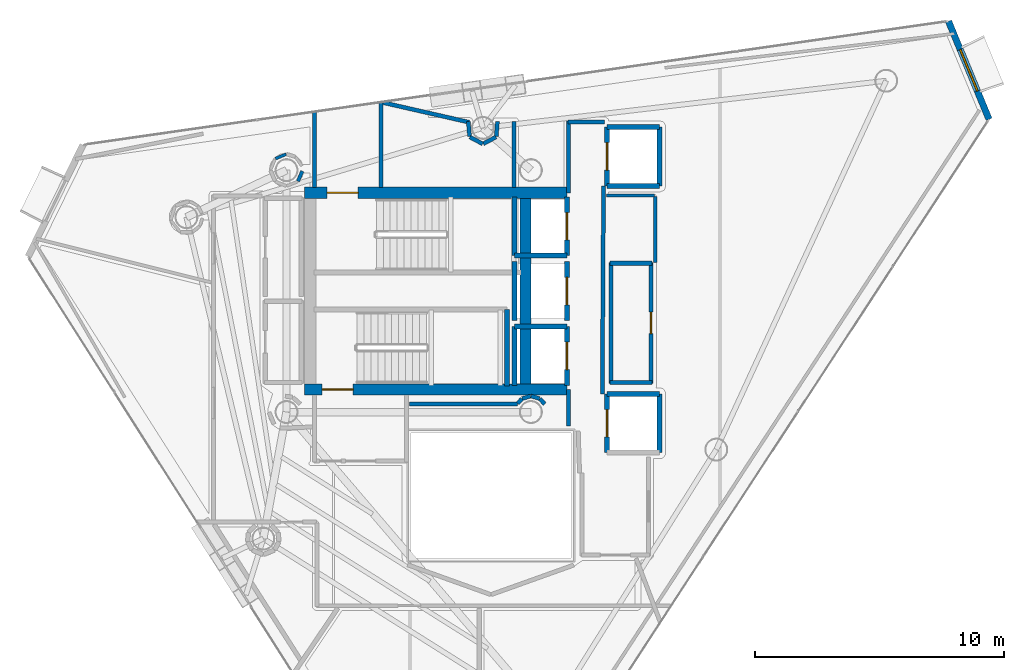
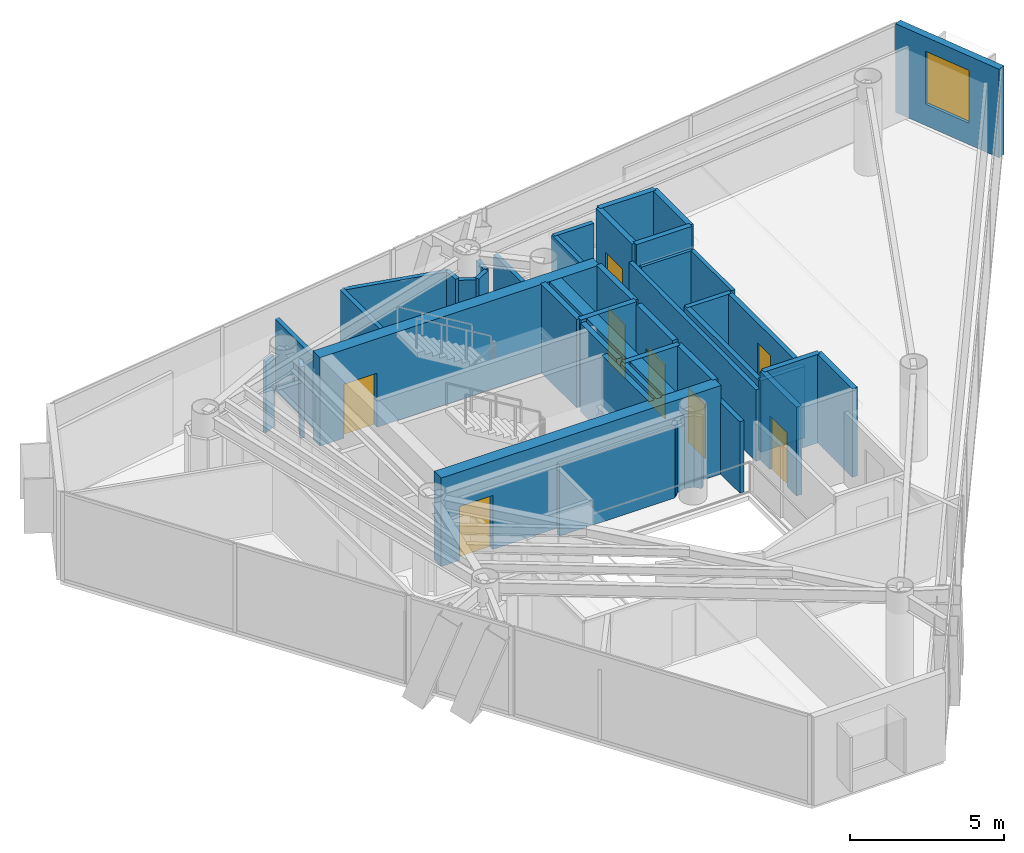
# One storey, part 21 of 25: 45 walls, 8 doors, 1 window, 9 openings.
"""IFC4 building model written with IfcOpenShell, lengths in metres."""

from ifc_helpers import new_model, si_unit, direction, frame, frame_2d, origin, place, context, subcontext, project, spatial, rectangle, extrude, material, layer, layer_set, type_object, element, fill, save


model = new_model("IFC4")

# Units and contexts
model_context = context("Model", 3, precision=1e-05, world=origin(), true_north=direction((0.0, 1.0)))
body_context = subcontext(model_context, "Body", "Model", "MODEL_VIEW")
ifc_project = project(units=[si_unit("LENGTHUNIT", "METRE"), si_unit("AREAUNIT", "SQUARE_METRE"), si_unit("VOLUMEUNIT", "CUBIC_METRE"), si_unit("PLANEANGLEUNIT", "RADIAN"), si_unit("MASSUNIT", "GRAM", prefix="KILO")], contexts=[model_context])

# Site, building, storey
site_placement = place(None, origin())
site = spatial("IfcSite", under=ifc_project, at=site_placement, CompositionType="ELEMENT")
building_placement = place(site_placement, origin())
building = spatial("IfcBuilding", under=site, at=building_placement, Name="Qianvela Tower", CompositionType="ELEMENT")
storey_placement = place(building_placement, frame((0.0, 0.0, 291.699951171875)))
storey = spatial("IfcBuildingStorey", under=building, at=storey_placement, Name="L75", CompositionType="ELEMENT", Elevation=291.699951171875)

# Wall, opening, window
ifc_material_1 = material(Name="Terracotta Cladding on Concrete C40", Category="masonry")
ifc_layer_1 = layer(ifc_material_1, 0.260009765625)
ifc_layer_set_1 = layer_set([ifc_layer_1], Name="Terracotta Cladding on Concrete C40")
wall_type_1 = type_object("IfcWallType", Name="TERRACOTTA-WALL-260", PredefinedType="SOLIDWALL", material=ifc_layer_set_1)
wall_1_placement = place(storey_placement, frame((56.7744140625, 35.58642578125, 0.0), z_axis=(0.0, 0.0, 1.0), x_axis=(-0.382036002316, 0.924147441123, 0.0)))
wall_1 = element("IfcWall", 1, at=wall_1_placement, inside=storey, type_object=wall_type_1, Name="L75 Terracotta Chamfer Facet Wall 1", PredefinedType="SOLIDWALL", context=body_context, shape_type="SweptSolid", body=[
    extrude(rectangle(XDim=4.2568359375, YDim=0.260009765625, at=frame_2d((2.12841796875, 0.0))), origin(), (0.0, 0.0, 1.0), 3.52001953125),
])
opening_1_placement = place(wall_1_placement, frame((1.228271484375, 0.0, 0.85009765625)))
opening_1 = element("IfcOpeningElement", 2, at=opening_1_placement, cuts=wall_1, Name="Opening W-01", PredefinedType="OPENING", context=body_context, shape_type="SweptSolid", body=[
    extrude(rectangle(XDim=1.800048828125, YDim=2.10009765625, at=frame_2d((0.89990234375, 1.050048828125))), frame((0.0, 0.139892578125, 0.0), z_axis=(0.0, -1.0, 0.0), x_axis=(1.0, 0.0, 0.0)), (0.0, 0.0, 1.0), 0.280029296875),
])
ifc_material_2 = material(Name="Thermally Broken Aluminium and Low-E Glass", Category="aluminium")
window_type = type_object("IfcWindowType", Name="WIN-TC-1800x2100", PartitioningType="DOUBLE_PANEL_VERTICAL", PredefinedType="WINDOW", material=ifc_material_2)
window_placement = place(opening_1_placement, origin())
window = element("IfcWindow", 3, at=window_placement, inside=storey, type_object=window_type, Name="L75 Chamfer Facet Window 1.1", OverallHeight=2.10009765625, OverallWidth=1.800048828125, PartitioningType="SINGLE_PANEL", PredefinedType="WINDOW", context=body_context, shape_type="SweptSolid", body=[
    extrude(rectangle(XDim=1.800048828125, YDim=2.10009765625, at=frame_2d((0.89990234375, 1.050048828125))), frame((0.0, 0.030029296875, 0.0), z_axis=(0.0, -1.0, 0.0), x_axis=(1.0, 0.0, 0.0)), (0.0, 0.0, 1.0), 0.06005859375),
])
fill(opening_1, window)

# Wall, opening, door
ifc_material_3 = material(Name="Concrete C50", Category="concrete")
ifc_layer_2 = layer(ifc_material_3, 0.449951171875)
ifc_layer_set_2 = layer_set([ifc_layer_2], Name="Concrete C50")
wall_type_2 = type_object("IfcWallType", Name="WT-CORE-450", PredefinedType="SHEAR", material=ifc_layer_set_2)
wall_2_placement = place(storey_placement, frame((29.330078125, 32.64501953125, 0.0), z_axis=(0.0, 0.0, 1.0), x_axis=(1.0, 0.0, 0.0)))
wall_2 = element("IfcWall", 4, at=wall_2_placement, inside=storey, type_object=wall_type_2, Name="L75 North Core Shear Wall", PredefinedType="SHEAR", context=body_context, shape_type="SweptSolid", body=[
    extrude(rectangle(XDim=10.52001953125, YDim=0.449951171875, at=frame_2d((5.260009765625, 0.0))), origin(), (0.0, 0.0, 1.0), 3.52001953125),
])
opening_2_placement = place(wall_2_placement, frame((0.89501953125, 0.0, 0.0)))
opening_2 = element("IfcOpeningElement", 5, at=opening_2_placement, cuts=wall_2, Name="Opening D-ST1", PredefinedType="OPENING", context=body_context, shape_type="SweptSolid", body=[
    extrude(rectangle(XDim=1.25, YDim=2.14990234375, at=frame_2d((0.625, 1.074951171875))), frame((0.0, 0.23486328125, 0.0), z_axis=(0.0, -1.0, 0.0), x_axis=(1.0, 0.0, 0.0)), (0.0, 0.0, 1.0), 0.469970703125),
])
ifc_material_4 = material(Name="Galvanised Fire Steel Q355B", Category="steel")
door_type_1 = type_object("IfcDoorType", Name="DT-STAIR-FD90", OperationType="NOTDEFINED", PredefinedType="DOOR", material=ifc_material_4)
door_1_placement = place(opening_2_placement, origin())
door_1 = element("IfcDoor", 6, at=door_1_placement, inside=storey, type_object=door_type_1, Name="L75 Stair ST-1 Exit Door", OperationType="SINGLE_SWING_RIGHT", OverallHeight=2.14990234375, OverallWidth=1.25, PredefinedType="DOOR", context=body_context, shape_type="SweptSolid", body=[
    extrude(rectangle(XDim=1.25, YDim=2.14990234375, at=frame_2d((0.625, 1.074951171875))), frame((0.0, 0.02490234375, 0.0), z_axis=(0.0, -1.0, 0.0), x_axis=(1.0, 0.0, 0.0)), (0.0, 0.0, 1.0), 0.050048828125),
])
fill(opening_2, door_1)

wall_3_placement = place(storey_placement, frame((29.330078125, 24.7548828125, 0.0), z_axis=(0.0, 0.0, 1.0), x_axis=(1.0, 0.0, 0.0)))
wall_3 = element("IfcWall", 7, at=wall_3_placement, inside=storey, type_object=wall_type_2, Name="L75 South Core Shear Wall", PredefinedType="SHEAR", context=body_context, shape_type="SweptSolid", body=[
    extrude(rectangle(XDim=10.52001953125, YDim=0.449951171875, at=frame_2d((5.260009765625, 0.0))), origin(), (0.0, 0.0, 1.0), 3.52001953125),
])
opening_3_placement = place(wall_3_placement, frame((0.695068359375, 0.0, 0.0)))
opening_3 = element("IfcOpeningElement", 8, at=opening_3_placement, cuts=wall_3, Name="Opening D-ST1", PredefinedType="OPENING", context=body_context, shape_type="SweptSolid", body=[
    extrude(rectangle(XDim=1.25, YDim=2.14990234375, at=frame_2d((0.625, 1.074951171875))), frame((0.0, 0.23486328125, 0.0), z_axis=(0.0, -1.0, 0.0), x_axis=(1.0, 0.0, 0.0)), (0.0, 0.0, 1.0), 0.469970703125),
])
door_2_placement = place(opening_3_placement, origin())
door_2 = element("IfcDoor", 9, at=door_2_placement, inside=storey, type_object=door_type_1, Name="L75 Stair ST-2 Exit Door", OperationType="SINGLE_SWING_RIGHT", OverallHeight=2.14990234375, OverallWidth=1.25, PredefinedType="DOOR", context=body_context, shape_type="SweptSolid", body=[
    extrude(rectangle(XDim=1.25, YDim=2.14990234375, at=frame_2d((0.625, 1.074951171875))), frame((0.0, 0.02490234375, 0.0), z_axis=(0.0, -1.0, 0.0), x_axis=(1.0, 0.0, 0.0)), (0.0, 0.0, 1.0), 0.050048828125),
])
fill(opening_3, door_2)

# Walls
wall_4_placement = place(storey_placement, frame((38.179931640625, 24.97998046875, 0.0), z_axis=(0.0, 0.0, 1.0), x_axis=(0.0, 1.0, 0.0)))
element("IfcWall", 10, at=wall_4_placement, inside=storey, type_object=wall_type_2, Name="L75 East Spine Core Shear Wall", PredefinedType="SHEAR", context=body_context, shape_type="SweptSolid", body=[
    extrude(rectangle(XDim=7.43994140625, YDim=0.449951171875, at=frame_2d((3.719970703125, 0.0))), origin(), (0.0, 0.0, 1.0), 3.52001953125),
])
ifc_material_5 = material(Name="Fire-Rated Gypsum and Concrete Block", Category="concrete")
ifc_layer_3 = layer(ifc_material_5, 0.159912109375)
ifc_layer_set_3 = layer_set([ifc_layer_3], Name="Fire-Rated Gypsum and Concrete Block")
wall_type_3 = type_object("IfcWallType", Name="WT-CORR-160", PredefinedType="PARTITIONING", material=ifc_layer_set_3)
wall_5_placement = place(storey_placement, frame((29.73095703125, 32.85791015625, 0.0), z_axis=(0.0, 0.0, 1.0), x_axis=(0.0, 1.0, 0.0)))
element("IfcWall", 11, at=wall_5_placement, inside=storey, type_object=wall_type_3, Name="L75 Partition 2", PredefinedType="PARTITIONING", context=body_context, shape_type="SweptSolid", body=[
    extrude(rectangle(XDim=3.052734375, YDim=0.159912109375, at=frame_2d((1.5263671875, 0.0))), origin(), (0.0, 0.0, 1.0), 2.840087890625),
])
wall_6_placement = place(storey_placement, frame((32.388916015625, 36.290283203125, 0.0), z_axis=(0.0, 0.0, 1.0), x_axis=(0.0, -1.0, 0.0)))
element("IfcWall", 12, at=wall_6_placement, inside=storey, type_object=wall_type_3, Name="L75 Partition 4", PredefinedType="PARTITIONING", context=body_context, shape_type="SweptSolid", body=[
    extrude(rectangle(XDim=3.432373046875, YDim=0.159912109375, at=frame_2d((1.71630859375, 0.0))), origin(), (0.0, 0.0, 1.0), 2.840087890625),
])
wall_7_placement = place(storey_placement, frame((39.910888671875, 23.280029296875, 0.0), z_axis=(0.0, 0.0, 1.0), x_axis=(0.0, 1.0, 0.0)))
element("IfcWall", 13, at=wall_7_placement, inside=storey, type_object=wall_type_3, Name="L75 Partition 10", PredefinedType="PARTITIONING", context=body_context, shape_type="SweptSolid", body=[
    extrude(rectangle(XDim=1.47998046875, YDim=0.159912109375, at=frame_2d((0.739990234375, 0.0))), origin(), (0.0, 0.0, 1.0), 2.840087890625),
])
wall_8_placement = place(storey_placement, frame((39.910888671875, 32.639892578125, 0.0), z_axis=(0.0, 0.0, 1.0), x_axis=(0.0, 1.0, 0.0)))
element("IfcWall", 14, at=wall_8_placement, inside=storey, type_object=wall_type_3, Name="L75 Partition 12", PredefinedType="PARTITIONING", context=body_context, shape_type="SweptSolid", body=[
    extrude(rectangle(XDim=2.880126953125, YDim=0.159912109375, at=frame_2d((1.43994140625, 0.0))), origin(), (0.0, 0.0, 1.0), 2.840087890625),
])
wall_9_placement = place(storey_placement, frame((39.8798828125, 35.489013671875, 0.0), z_axis=(0.0, 0.0, 1.0), x_axis=(1.0, 0.0, 0.0)))
element("IfcWall", 15, at=wall_9_placement, inside=storey, type_object=wall_type_3, Name="L75 Partition 13", PredefinedType="PARTITIONING", context=body_context, shape_type="SweptSolid", body=[
    extrude(rectangle(XDim=1.480224609375, YDim=0.159912109375, at=frame_2d((0.740234375, 0.0))), origin(), (0.0, 0.0, 1.0), 2.840087890625),
])
wall_10_placement = place(storey_placement, frame((41.3134765625, 32.919921875, 0.0), z_axis=(0.0, 0.0, 1.0), x_axis=(-0.005942518022, -0.999982343084, 0.0)))
element("IfcWall", 16, at=wall_10_placement, inside=storey, type_object=wall_type_3, Name="L75 Partition 14 seg 2", PredefinedType="PARTITIONING", context=body_context, shape_type="SweptSolid", body=[
    extrude(rectangle(XDim=8.340087890625, YDim=0.159912109375, at=frame_2d((4.169921875, 0.0))), origin(), (0.0, 0.0, 1.0), 2.840087890625),
])
wall_11_placement = place(storey_placement, frame((38.950927734375, 24.1708984375, 0.0), z_axis=(0.0, 0.0, 1.0), x_axis=(-0.674186852077, 0.738560822469, 0.0)))
element("IfcWall", 17, at=wall_11_placement, inside=storey, type_object=wall_type_3, Name="L75 Partition 33", PredefinedType="PARTITIONING", context=body_context, shape_type="SweptSolid", body=[
    extrude(rectangle(XDim=0.28076171875, YDim=0.159912109375, at=frame_2d((0.140380859375, 0.0))), origin(), (0.0, 0.0, 1.0), 2.840087890625),
])
wall_12_placement = place(storey_placement, frame((38.747802734375, 24.386962890625, 0.0), z_axis=(0.0, 0.0, 1.0), x_axis=(-0.956948991291, 0.290256142171, 0.0)))
element("IfcWall", 18, at=wall_12_placement, inside=storey, type_object=wall_type_3, Name="L75 Partition 34", PredefinedType="PARTITIONING", context=body_context, shape_type="SweptSolid", body=[
    extrude(rectangle(XDim=0.35400390625, YDim=0.159912109375, at=frame_2d((0.177001953125, 0.0))), origin(), (0.0, 0.0, 1.0), 2.840087890625),
])
wall_13_placement = place(storey_placement, frame((38.39111328125, 24.48974609375, 0.0), z_axis=(0.0, 0.0, 1.0), x_axis=(-0.957007018611, -0.290064762301, 0.0)))
element("IfcWall", 19, at=wall_13_placement, inside=storey, type_object=wall_type_3, Name="L75 Partition 35", PredefinedType="PARTITIONING", context=body_context, shape_type="SweptSolid", body=[
    extrude(rectangle(XDim=0.354248046875, YDim=0.159912109375, at=frame_2d((0.17724609375, 0.0))), origin(), (0.0, 0.0, 1.0), 2.840087890625),
])
wall_14_placement = place(storey_placement, frame((38.0380859375, 24.378173828125, 0.0), z_axis=(0.0, 0.0, 1.0), x_axis=(-0.673658387955, -0.739042878551, 0.0)))
element("IfcWall", 20, at=wall_14_placement, inside=storey, type_object=wall_type_3, Name="L75 Partition 36", PredefinedType="PARTITIONING", context=body_context, shape_type="SweptSolid", body=[
    extrude(rectangle(XDim=0.246337890625, YDim=0.159912109375, at=frame_2d((0.123046875, 0.0))), origin(), (0.0, 0.0, 1.0), 2.840087890625),
])
wall_15_placement = place(storey_placement, frame((37.8720703125, 24.180908203125, 0.0), z_axis=(0.0, 0.0, 1.0), x_axis=(-1.0, 0.0, 0.0)))
element("IfcWall", 21, at=wall_15_placement, inside=storey, type_object=wall_type_3, Name="L75 Partition 37", PredefinedType="PARTITIONING", context=body_context, shape_type="SweptSolid", body=[
    extrude(rectangle(XDim=4.342041015625, YDim=0.159912109375, at=frame_2d((2.1708984375, 0.0))), origin(), (0.0, 0.0, 1.0), 2.840087890625),
])
wall_16_placement = place(storey_placement, frame((32.4052734375, 36.2724609375, 0.0), z_axis=(0.0, 0.0, 1.0), x_axis=(0.974921840823, -0.222547532645, 0.0)))
element("IfcWall", 22, at=wall_16_placement, inside=storey, type_object=wall_type_3, Name="L75 Partition 51", PredefinedType="PARTITIONING", context=body_context, shape_type="SweptSolid", body=[
    extrude(rectangle(XDim=3.6103515625, YDim=0.159912109375, at=frame_2d((1.80517578125, 0.0))), origin(), (0.0, 0.0, 1.0), 2.840087890625),
])
wall_17_placement = place(storey_placement, frame((35.89404296875, 35.497802734375, 0.0), z_axis=(0.0, 0.0, 1.0), x_axis=(0.07354059826, -0.997292224179, 0.0)))
element("IfcWall", 23, at=wall_17_placement, inside=storey, type_object=wall_type_3, Name="L75 Partition 52", PredefinedType="PARTITIONING", context=body_context, shape_type="SweptSolid", body=[
    extrude(rectangle(XDim=0.59765625, YDim=0.159912109375, at=frame_2d((0.298828125, 0.0))), origin(), (0.0, 0.0, 1.0), 2.840087890625),
])
for number, where, z_axis, x_axis, name in (
    (24, (35.9541015625, 34.876708984375, 0.0), (0.0, 0.0, 1.0), (0.882047254832, -0.471160949405, 0.0), "L75 Partition 53"),
    (25, (36.490478515625, 34.605712890625, 0.0), (0.0, 0.0, 1.0), (0.882047254832, 0.471160949405, 0.0), "L75 Partition 54"),
):
    element("IfcWall", number, at=place(storey_placement, frame(where, z_axis=z_axis, x_axis=x_axis)), inside=storey, type_object=wall_type_3, Name=name, PredefinedType="PARTITIONING", context=body_context, shape_type="SweptSolid", body=[
        extrude(rectangle(XDim=0.5751953125, YDim=0.159912109375, at=frame_2d((0.28759765625, 0.0))), origin(), (0.0, 0.0, 1.0), 2.840087890625),
    ])
wall_18_placement = place(storey_placement, frame((37.01416015625, 34.90185546875, 0.0), z_axis=(0.0, 0.0, 1.0), x_axis=(0.073134230676, 0.997322106595, 0.0)))
element("IfcWall", 26, at=wall_18_placement, inside=storey, type_object=wall_type_3, Name="L75 Partition 55", PredefinedType="PARTITIONING", context=body_context, shape_type="SweptSolid", body=[
    extrude(rectangle(XDim=0.59765625, YDim=0.159912109375, at=frame_2d((0.298828125, 0.0))), origin(), (0.0, 0.0, 1.0), 2.840087890625),
])
wall_19_placement = place(storey_placement, frame((37.718994140625, 35.5, 0.0), z_axis=(0.0, 0.0, 1.0), x_axis=(0.0, -1.0, 0.0)))
element("IfcWall", 27, at=wall_19_placement, inside=storey, type_object=wall_type_3, Name="L75 Partition 57", PredefinedType="PARTITIONING", context=body_context, shape_type="SweptSolid", body=[
    extrude(rectangle(XDim=2.64208984375, YDim=0.159912109375, at=frame_2d((1.321044921875, 0.0))), origin(), (0.0, 0.0, 1.0), 2.840087890625),
])
ifc_material_6 = material(Name="Insulated Gypsum Stud Partition")
ifc_layer_4 = layer(ifc_material_6, 0.1201171875)
ifc_layer_set_4 = layer_set([ifc_layer_4], Name="Insulated Gypsum Stud Partition")
wall_type_4 = type_object("IfcWallType", Name="WT-PART-120", PredefinedType="PARTITIONING", material=ifc_layer_set_4)
wall_20_placement = place(storey_placement, frame((43.35009765625, 32.531005859375, 0.0), z_axis=(0.0, 0.0, 1.0), x_axis=(-1.0, 0.0, 0.0)))
element("IfcWall", 28, at=wall_20_placement, inside=storey, type_object=wall_type_4, Name="L75 Partition 97", PredefinedType="PARTITIONING", context=body_context, shape_type="SweptSolid", body=[
    extrude(rectangle(XDim=1.91015625, YDim=0.1201171875, at=frame_2d((0.955078125, 0.0))), origin(), (0.0, 0.0, 1.0), 2.840087890625),
])
wall_21_placement = place(storey_placement, frame((28.588134765625, 34.188720703125, 0.0), z_axis=(0.0, 0.0, 1.0), x_axis=(-0.923863886655, -0.382721202621, 0.0)))
element("IfcWall", 29, at=wall_21_placement, inside=storey, type_object=wall_type_4, Name="L75 Partition 133", PredefinedType="PARTITIONING", context=body_context, shape_type="SweptSolid", body=[
    extrude(rectangle(XDim=0.467041015625, YDim=0.1201171875, at=frame_2d((0.2333984375, 0.0))), origin(), (0.0, 0.0, 1.0), 2.840087890625),
])
ifc_material_7 = material(Name="Moisture-Resistant Acoustic Plumbing Wall")
ifc_layer_5 = layer(ifc_material_7, 0.175048828125)
ifc_layer_set_5 = layer_set([ifc_layer_5], Name="Moisture-Resistant Acoustic Plumbing Wall")
wall_type_5 = type_object("IfcWallType", Name="WT-PLUMB-175", PredefinedType="PLUMBINGWALL", material=ifc_layer_set_5)
wall_22_placement = place(storey_placement, frame((43.25, 25.031005859375, 0.0), z_axis=(0.0, 0.0, 1.0), x_axis=(-1.0, 0.0, 0.0)))
element("IfcWall", 30, at=wall_22_placement, inside=storey, type_object=wall_type_5, Name="L75 Partition 19", PredefinedType="PLUMBINGWALL", context=body_context, shape_type="SweptSolid", body=[
    extrude(rectangle(XDim=1.669921875, YDim=0.175048828125, at=frame_2d((0.8349609375, 0.0))), origin(), (0.0, 0.0, 1.0), 2.840087890625),
])
wall_23_placement = place(storey_placement, frame((41.611083984375, 25.0, 0.0), z_axis=(0.0, 0.0, 1.0), x_axis=(0.0, 1.0, 0.0)))
element("IfcWall", 31, at=wall_23_placement, inside=storey, type_object=wall_type_5, Name="L75 Partition 20", PredefinedType="PLUMBINGWALL", context=body_context, shape_type="SweptSolid", body=[
    extrude(rectangle(XDim=4.85009765625, YDim=0.175048828125, at=frame_2d((2.425048828125, 0.0))), origin(), (0.0, 0.0, 1.0), 2.840087890625),
])
wall_24_placement = place(storey_placement, frame((41.580078125, 29.819091796875, 0.0), z_axis=(0.0, 0.0, 1.0), x_axis=(1.0, 0.0, 0.0)))
element("IfcWall", 32, at=wall_24_placement, inside=storey, type_object=wall_type_5, Name="L75 Partition 21", PredefinedType="PLUMBINGWALL", context=body_context, shape_type="SweptSolid", body=[
    extrude(rectangle(XDim=1.669921875, YDim=0.175048828125, at=frame_2d((0.8349609375, 0.0))), origin(), (0.0, 0.0, 1.0), 2.840087890625),
])

# Wall, opening, door
wall_25_placement = place(storey_placement, frame((43.218994140625, 29.85009765625, 0.0), z_axis=(0.0, 0.0, 1.0), x_axis=(0.0, -1.0, 0.0)))
wall_25 = element("IfcWall", 33, at=wall_25_placement, inside=storey, type_object=wall_type_5, Name="L75 Partition 22", PredefinedType="PLUMBINGWALL", context=body_context, shape_type="SweptSolid", body=[
    extrude(rectangle(XDim=4.85009765625, YDim=0.175048828125, at=frame_2d((2.425048828125, 0.0))), origin(), (0.0, 0.0, 1.0), 2.840087890625),
])
opening_4_placement = place(wall_25_placement, frame((1.9951171875, 0.0, 0.0)))
opening_4 = element("IfcOpeningElement", 34, at=opening_4_placement, cuts=wall_25, Name="Opening D-WC1", PredefinedType="OPENING", context=body_context, shape_type="SweptSolid", body=[
    extrude(rectangle(XDim=0.860107421875, YDim=2.050048828125, at=frame_2d((0.43017578125, 1.02490234375))), frame((0.0, 0.097412109375, 0.0), z_axis=(0.0, -1.0, 0.0), x_axis=(1.0, 0.0, 0.0)), (0.0, 0.0, 1.0), 0.195068359375),
])
ifc_material_8 = material(Name="Moisture-Sealed Acoustic Timber Door", Category="wood")
door_type_2 = type_object("IfcDoorType", Name="DT-WC-860", OperationType="NOTDEFINED", PredefinedType="DOOR", material=ifc_material_8)
door_3_placement = place(opening_4_placement, origin())
door_3 = element("IfcDoor", 35, at=door_3_placement, inside=storey, type_object=door_type_2, Name="L75 Door L75 Accessible WC to Campus Convenience Shop L75-03", OperationType="SINGLE_SWING_RIGHT", OverallHeight=2.050048828125, OverallWidth=0.860107421875, PredefinedType="DOOR", context=body_context, shape_type="SweptSolid", body=[
    extrude(rectangle(XDim=0.860107421875, YDim=2.050048828125, at=frame_2d((0.43017578125, 1.02490234375))), frame((0.0, 0.02490234375, 0.0), z_axis=(0.0, -1.0, 0.0), x_axis=(1.0, 0.0, 0.0)), (0.0, 0.0, 1.0), 0.050048828125),
])
fill(opening_4, door_3)

# Walls
ifc_material_9 = material(Name="Acoustic Double Gypsum Stud Partition")
ifc_layer_6 = layer(ifc_material_9, 0.139892578125)
ifc_layer_set_6 = layer_set([ifc_layer_6], Name="Acoustic Double Gypsum Stud Partition")
wall_type_6 = type_object("IfcWallType", Name="WT-ROOM-140", PredefinedType="PARTITIONING", material=ifc_layer_set_6)
wall_26_placement = place(storey_placement, frame((43.381103515625, 29.85009765625, 0.0), z_axis=(0.0, 0.0, 1.0), x_axis=(0.0, 1.0, 0.0)))
element("IfcWall", 36, at=wall_26_placement, inside=storey, type_object=wall_type_6, Name="L75 Partition 96 seg 2", PredefinedType="PARTITIONING", context=body_context, shape_type="SweptSolid", body=[
    extrude(rectangle(XDim=2.64990234375, YDim=0.139892578125, at=frame_2d((1.324951171875, 0.0))), origin(), (0.0, 0.0, 1.0), 2.840087890625),
])
wall_27_placement = place(storey_placement, frame((29.059814453125, 33.106201171875, 0.0), z_axis=(0.0, 0.0, 1.0), x_axis=(0.400352069216, 0.916361402872, 0.0)))
element("IfcWall", 37, at=wall_27_placement, inside=storey, type_object=wall_type_6, Name="L75 Partition 138", PredefinedType="PARTITIONING", context=body_context, shape_type="SweptSolid", body=[
    extrude(rectangle(XDim=0.43896484375, YDim=0.139892578125, at=frame_2d((0.219482421875, 0.0))), origin(), (0.0, 0.0, 1.0), 2.840087890625),
])
ifc_material_10 = material(Name="Concrete C50", Category="concrete")
ifc_layer_7 = layer(ifc_material_10, 0.199951171875)
ifc_layer_set_7 = layer_set([ifc_layer_7], Name="Concrete C50")
wall_type_7 = type_object("IfcWallType", Name="WT-SHAFT-200", PredefinedType="SOLIDWALL", material=ifc_layer_set_7)
wall_28_placement = place(storey_placement, frame((37.449951171875, 24.89990234375, 0.0), z_axis=(0.0, 0.0, 1.0), x_axis=(0.0, 1.0, 0.0)))
element("IfcWall", 38, at=wall_28_placement, inside=storey, type_object=wall_type_7, Name="L75 Stair ST-2 East Wall", PredefinedType="SOLIDWALL", context=body_context, shape_type="SweptSolid", body=[
    extrude(rectangle(XDim=3.06005859375, YDim=0.199951171875, at=frame_2d((1.530029296875, 0.0))), origin(), (0.0, 0.0, 1.0), 3.52001953125),
])

# Wall, opening, door
wall_29_placement = place(storey_placement, frame((39.85009765625, 30.1201171875, 0.0), z_axis=(0.0, 0.0, 1.0), x_axis=(0.0, 1.0, 0.0)))
wall_29 = element("IfcWall", 39, at=wall_29_placement, inside=storey, type_object=wall_type_7, Name="L75 Lift FL-1 E Shaft Wall", PredefinedType="SOLIDWALL", context=body_context, shape_type="SweptSolid", body=[
    extrude(rectangle(XDim=2.35986328125, YDim=0.199951171875, at=frame_2d((1.179931640625, 0.0))), origin(), (0.0, 0.0, 1.0), 3.52001953125),
])
opening_5_placement = place(wall_29_placement, frame((0.6298828125, 0.0, 0.0)))
opening_5 = element("IfcOpeningElement", 40, at=opening_5_placement, cuts=wall_29, Name="Opening LD-01", PredefinedType="OPENING", context=body_context, shape_type="SweptSolid", body=[
    extrude(rectangle(XDim=1.10009765625, YDim=2.14990234375, at=frame_2d((0.550048828125, 1.074951171875))), frame((0.0, 0.10986328125, 0.0), z_axis=(0.0, -1.0, 0.0), x_axis=(1.0, 0.0, 0.0)), (0.0, 0.0, 1.0), 0.219970703125),
])
ifc_material_11 = material(Name="Brushed Stainless Steel Lift Landing Door", Category="steel")
door_type_3 = type_object("IfcDoorType", Name="DT-LIFT-SLIDE-1100", OperationType="SLIDING_TO_LEFT", PredefinedType="DOOR", material=ifc_material_11)
door_4_placement = place(opening_5_placement, origin())
door_4 = element("IfcDoor", 41, at=door_4_placement, inside=storey, type_object=door_type_3, Name="L75 Lift FL-1 Sliding Landing Door", OperationType="SLIDING_TO_LEFT", OverallHeight=2.14990234375, OverallWidth=1.10009765625, PredefinedType="DOOR", context=body_context, shape_type="SweptSolid", body=[
    extrude(rectangle(XDim=1.10009765625, YDim=2.14990234375, at=frame_2d((0.550048828125, 1.074951171875))), frame((0.0, 0.02490234375, 0.0), z_axis=(0.0, -1.0, 0.0), x_axis=(1.0, 0.0, 0.0)), (0.0, 0.0, 1.0), 0.050048828125),
])
fill(opening_5, door_4)

# Walls
wall_30_placement = place(storey_placement, frame((37.75, 30.1201171875, 0.0), z_axis=(0.0, 0.0, 1.0), x_axis=(0.0, 1.0, 0.0)))
element("IfcWall", 42, at=wall_30_placement, inside=storey, type_object=wall_type_7, Name="L75 Lift FL-1 W Shaft Wall", PredefinedType="SOLIDWALL", context=body_context, shape_type="SweptSolid", body=[
    extrude(rectangle(XDim=2.35986328125, YDim=0.199951171875, at=frame_2d((1.179931640625, 0.0))), origin(), (0.0, 0.0, 1.0), 3.52001953125),
])
wall_31_placement = place(storey_placement, frame((37.75, 30.1201171875, 0.0), z_axis=(0.0, 0.0, 1.0), x_axis=(1.0, 0.0, 0.0)))
element("IfcWall", 43, at=wall_31_placement, inside=storey, type_object=wall_type_7, Name="L75 Lift FL-1 S Shaft Wall", PredefinedType="SOLIDWALL", context=body_context, shape_type="SweptSolid", body=[
    extrude(rectangle(XDim=2.10009765625, YDim=0.199951171875, at=frame_2d((1.050048828125, 0.0))), origin(), (0.0, 0.0, 1.0), 3.52001953125),
])

# Wall, opening, door
wall_32_placement = place(storey_placement, frame((39.85009765625, 24.919921875, 0.0), z_axis=(0.0, 0.0, 1.0), x_axis=(0.0, 1.0, 0.0)))
wall_32 = element("IfcWall", 44, at=wall_32_placement, inside=storey, type_object=wall_type_7, Name="L75 Lift FL-2 E Shaft Wall", PredefinedType="SOLIDWALL", context=body_context, shape_type="SweptSolid", body=[
    extrude(rectangle(XDim=2.360107421875, YDim=0.199951171875, at=frame_2d((1.18017578125, 0.0))), origin(), (0.0, 0.0, 1.0), 3.52001953125),
])
opening_6_placement = place(wall_32_placement, frame((0.6298828125, 0.0, 0.0)))
opening_6 = element("IfcOpeningElement", 45, at=opening_6_placement, cuts=wall_32, Name="Opening LD-01", PredefinedType="OPENING", context=body_context, shape_type="SweptSolid", body=[
    extrude(rectangle(XDim=1.10009765625, YDim=2.14990234375, at=frame_2d((0.550048828125, 1.074951171875))), frame((0.0, 0.10986328125, 0.0), z_axis=(0.0, -1.0, 0.0), x_axis=(1.0, 0.0, 0.0)), (0.0, 0.0, 1.0), 0.219970703125),
])
door_5_placement = place(opening_6_placement, origin())
door_5 = element("IfcDoor", 46, at=door_5_placement, inside=storey, type_object=door_type_3, Name="L75 Lift FL-2 Sliding Landing Door", OperationType="SLIDING_TO_LEFT", OverallHeight=2.14990234375, OverallWidth=1.10009765625, PredefinedType="DOOR", context=body_context, shape_type="SweptSolid", body=[
    extrude(rectangle(XDim=1.10009765625, YDim=2.14990234375, at=frame_2d((0.550048828125, 1.074951171875))), frame((0.0, 0.02490234375, 0.0), z_axis=(0.0, -1.0, 0.0), x_axis=(1.0, 0.0, 0.0)), (0.0, 0.0, 1.0), 0.050048828125),
])
fill(opening_6, door_5)

# Walls
wall_33_placement = place(storey_placement, frame((37.75, 24.919921875, 0.0), z_axis=(0.0, 0.0, 1.0), x_axis=(0.0, 1.0, 0.0)))
element("IfcWall", 47, at=wall_33_placement, inside=storey, type_object=wall_type_7, Name="L75 Lift FL-2 W Shaft Wall", PredefinedType="SOLIDWALL", context=body_context, shape_type="SweptSolid", body=[
    extrude(rectangle(XDim=2.360107421875, YDim=0.199951171875, at=frame_2d((1.18017578125, 0.0))), origin(), (0.0, 0.0, 1.0), 3.52001953125),
])
wall_34_placement = place(storey_placement, frame((37.75, 27.280029296875, 0.0), z_axis=(0.0, 0.0, 1.0), x_axis=(1.0, 0.0, 0.0)))
element("IfcWall", 48, at=wall_34_placement, inside=storey, type_object=wall_type_7, Name="L75 Lift FL-2 N Shaft Wall", PredefinedType="SOLIDWALL", context=body_context, shape_type="SweptSolid", body=[
    extrude(rectangle(XDim=2.10009765625, YDim=0.199951171875, at=frame_2d((1.050048828125, 0.0))), origin(), (0.0, 0.0, 1.0), 3.52001953125),
])

# Wall, opening, door
wall_35_placement = place(storey_placement, frame((39.85009765625, 27.52001953125, 0.0), z_axis=(0.0, 0.0, 1.0), x_axis=(0.0, 1.0, 0.0)))
wall_35 = element("IfcWall", 49, at=wall_35_placement, inside=storey, type_object=wall_type_7, Name="L75 Lift PL-H1 E Shaft Wall", PredefinedType="SOLIDWALL", context=body_context, shape_type="SweptSolid", body=[
    extrude(rectangle(XDim=2.35986328125, YDim=0.199951171875, at=frame_2d((1.179931640625, 0.0))), origin(), (0.0, 0.0, 1.0), 3.52001953125),
])
opening_7_placement = place(wall_35_placement, frame((0.6298828125, 0.0, 0.0)))
opening_7 = element("IfcOpeningElement", 50, at=opening_7_placement, cuts=wall_35, Name="Opening LD-01", PredefinedType="OPENING", context=body_context, shape_type="SweptSolid", body=[
    extrude(rectangle(XDim=1.10009765625, YDim=2.14990234375, at=frame_2d((0.550048828125, 1.074951171875))), frame((0.0, 0.10986328125, 0.0), z_axis=(0.0, -1.0, 0.0), x_axis=(1.0, 0.0, 0.0)), (0.0, 0.0, 1.0), 0.219970703125),
])
door_6_placement = place(opening_7_placement, origin())
door_6 = element("IfcDoor", 51, at=door_6_placement, inside=storey, type_object=door_type_3, Name="L75 Lift PL-H1 Sliding Landing Door", OperationType="SLIDING_TO_LEFT", OverallHeight=2.14990234375, OverallWidth=1.10009765625, PredefinedType="DOOR", context=body_context, shape_type="SweptSolid", body=[
    extrude(rectangle(XDim=1.10009765625, YDim=2.14990234375, at=frame_2d((0.550048828125, 1.074951171875))), frame((0.0, 0.02490234375, 0.0), z_axis=(0.0, -1.0, 0.0), x_axis=(1.0, 0.0, 0.0)), (0.0, 0.0, 1.0), 0.050048828125),
])
fill(opening_7, door_6)

# Walls
wall_36_placement = place(storey_placement, frame((37.75, 27.52001953125, 0.0), z_axis=(0.0, 0.0, 1.0), x_axis=(0.0, 1.0, 0.0)))
element("IfcWall", 52, at=wall_36_placement, inside=storey, type_object=wall_type_7, Name="L75 Lift PL-H1 W Shaft Wall", PredefinedType="SOLIDWALL", context=body_context, shape_type="SweptSolid", body=[
    extrude(rectangle(XDim=2.35986328125, YDim=0.199951171875, at=frame_2d((1.179931640625, 0.0))), origin(), (0.0, 0.0, 1.0), 3.52001953125),
])
wall_37_placement = place(storey_placement, frame((43.550048828125, 22.219970703125, 0.0), z_axis=(0.0, 0.0, 1.0), x_axis=(0.0, 1.0, 0.0)))
element("IfcWall", 53, at=wall_37_placement, inside=storey, type_object=wall_type_7, Name="L75 Lift PL-H2 E Shaft Wall", PredefinedType="SOLIDWALL", context=body_context, shape_type="SweptSolid", body=[
    extrude(rectangle(XDim=2.360107421875, YDim=0.199951171875, at=frame_2d((1.18017578125, 0.0))), origin(), (0.0, 0.0, 1.0), 3.52001953125),
])

# Wall, opening, door
wall_38_placement = place(storey_placement, frame((41.449951171875, 22.219970703125, 0.0), z_axis=(0.0, 0.0, 1.0), x_axis=(0.0, 1.0, 0.0)))
wall_38 = element("IfcWall", 54, at=wall_38_placement, inside=storey, type_object=wall_type_7, Name="L75 Lift PL-H2 W Shaft Wall", PredefinedType="SOLIDWALL", context=body_context, shape_type="SweptSolid", body=[
    extrude(rectangle(XDim=2.360107421875, YDim=0.199951171875, at=frame_2d((1.18017578125, 0.0))), origin(), (0.0, 0.0, 1.0), 3.52001953125),
])
opening_8_placement = place(wall_38_placement, frame((0.6298828125, 0.0, 0.0)))
opening_8 = element("IfcOpeningElement", 55, at=opening_8_placement, cuts=wall_38, Name="Opening LD-01", PredefinedType="OPENING", context=body_context, shape_type="SweptSolid", body=[
    extrude(rectangle(XDim=1.10009765625, YDim=2.14990234375, at=frame_2d((0.550048828125, 1.074951171875))), frame((0.0, 0.10986328125, 0.0), z_axis=(0.0, -1.0, 0.0), x_axis=(1.0, 0.0, 0.0)), (0.0, 0.0, 1.0), 0.219970703125),
])
door_7_placement = place(opening_8_placement, origin())
door_7 = element("IfcDoor", 56, at=door_7_placement, inside=storey, type_object=door_type_3, Name="L75 Lift PL-H2 Sliding Landing Door", OperationType="SLIDING_TO_LEFT", OverallHeight=2.14990234375, OverallWidth=1.10009765625, PredefinedType="DOOR", context=body_context, shape_type="SweptSolid", body=[
    extrude(rectangle(XDim=1.10009765625, YDim=2.14990234375, at=frame_2d((0.550048828125, 1.074951171875))), frame((0.0, 0.02490234375, 0.0), z_axis=(0.0, -1.0, 0.0), x_axis=(1.0, 0.0, 0.0)), (0.0, 0.0, 1.0), 0.050048828125),
])
fill(opening_8, door_7)

# Walls
wall_39_placement = place(storey_placement, frame((41.449951171875, 24.580078125, 0.0), z_axis=(0.0, 0.0, 1.0), x_axis=(1.0, 0.0, 0.0)))
element("IfcWall", 57, at=wall_39_placement, inside=storey, type_object=wall_type_7, Name="L75 Lift PL-H2 N Shaft Wall", PredefinedType="SOLIDWALL", context=body_context, shape_type="SweptSolid", body=[
    extrude(rectangle(XDim=2.10009765625, YDim=0.199951171875, at=frame_2d((1.050048828125, 0.0))), origin(), (0.0, 0.0, 1.0), 3.52001953125),
])
wall_40_placement = place(storey_placement, frame((43.550048828125, 32.919921875, 0.0), z_axis=(0.0, 0.0, 1.0), x_axis=(0.0, 1.0, 0.0)))
element("IfcWall", 58, at=wall_40_placement, inside=storey, type_object=wall_type_7, Name="L75 Lift PL-H3 E Shaft Wall", PredefinedType="SOLIDWALL", context=body_context, shape_type="SweptSolid", body=[
    extrude(rectangle(XDim=2.360107421875, YDim=0.199951171875, at=frame_2d((1.18017578125, 0.0))), origin(), (0.0, 0.0, 1.0), 3.52001953125),
])

# Wall, opening, door
wall_41_placement = place(storey_placement, frame((41.449951171875, 32.919921875, 0.0), z_axis=(0.0, 0.0, 1.0), x_axis=(0.0, 1.0, 0.0)))
wall_41 = element("IfcWall", 59, at=wall_41_placement, inside=storey, type_object=wall_type_7, Name="L75 Lift PL-H3 W Shaft Wall", PredefinedType="SOLIDWALL", context=body_context, shape_type="SweptSolid", body=[
    extrude(rectangle(XDim=2.360107421875, YDim=0.199951171875, at=frame_2d((1.18017578125, 0.0))), origin(), (0.0, 0.0, 1.0), 3.52001953125),
])
opening_9_placement = place(wall_41_placement, frame((0.6298828125, 0.0, 0.0)))
opening_9 = element("IfcOpeningElement", 60, at=opening_9_placement, cuts=wall_41, Name="Opening LD-01", PredefinedType="OPENING", context=body_context, shape_type="SweptSolid", body=[
    extrude(rectangle(XDim=1.10009765625, YDim=2.14990234375, at=frame_2d((0.550048828125, 1.074951171875))), frame((0.0, 0.10986328125, 0.0), z_axis=(0.0, -1.0, 0.0), x_axis=(1.0, 0.0, 0.0)), (0.0, 0.0, 1.0), 0.219970703125),
])
door_8_placement = place(opening_9_placement, origin())
door_8 = element("IfcDoor", 61, at=door_8_placement, inside=storey, type_object=door_type_3, Name="L75 Lift PL-H3 Sliding Landing Door", OperationType="SLIDING_TO_LEFT", OverallHeight=2.14990234375, OverallWidth=1.10009765625, PredefinedType="DOOR", context=body_context, shape_type="SweptSolid", body=[
    extrude(rectangle(XDim=1.10009765625, YDim=2.14990234375, at=frame_2d((0.550048828125, 1.074951171875))), frame((0.0, 0.02490234375, 0.0), z_axis=(0.0, -1.0, 0.0), x_axis=(1.0, 0.0, 0.0)), (0.0, 0.0, 1.0), 0.050048828125),
])
fill(opening_9, door_8)

# Walls
for number, where, z_axis, x_axis, name in (
    (62, (41.449951171875, 35.280029296875, 0.0), (0.0, 0.0, 1.0), (1.0, 0.0, 0.0), "L75 Lift PL-H3 N Shaft Wall"),
    (63, (41.449951171875, 32.919921875, 0.0), (0.0, 0.0, 1.0), (1.0, 0.0, 0.0), "L75 Lift PL-H3 S Shaft Wall"),
):
    element("IfcWall", number, at=place(storey_placement, frame(where, z_axis=z_axis, x_axis=x_axis)), inside=storey, type_object=wall_type_7, Name=name, PredefinedType="SOLIDWALL", context=body_context, shape_type="SweptSolid", body=[
        extrude(rectangle(XDim=2.10009765625, YDim=0.199951171875, at=frame_2d((1.050048828125, 0.0))), origin(), (0.0, 0.0, 1.0), 3.52001953125),
    ])

save(model, "model.ifc")
